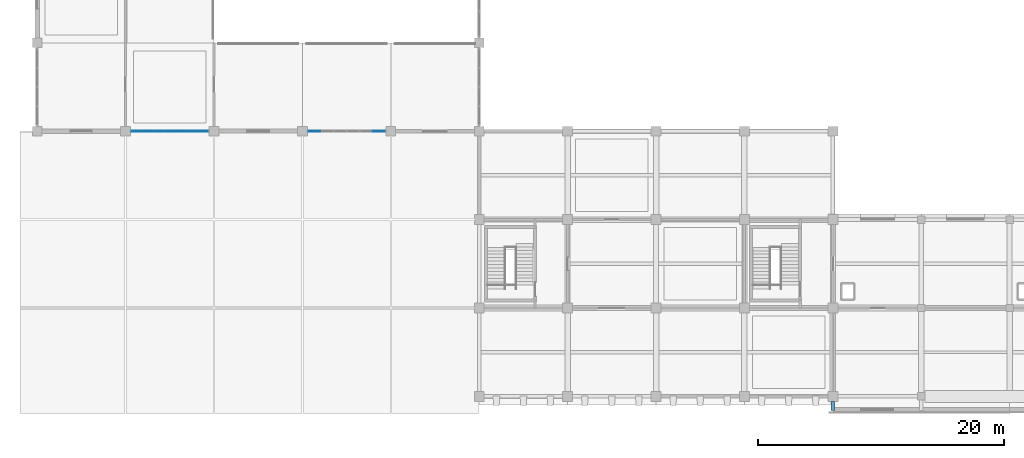
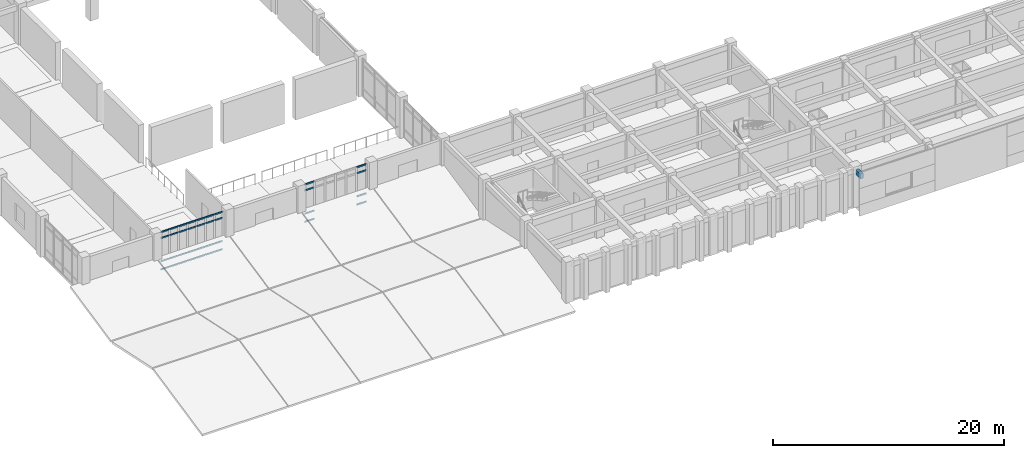
# One storey, part 29 of 70: 36 members, 1 beam, 2 elements without a shape of their own.
"""IFC4 building model written with IfcOpenShell, lengths in metres."""

from ifc_helpers import new_model, si_unit, direction, frame, origin, origin_2d, place, context, subcontext, project, spatial, rectangle, extrude, material, layer, layer_set, material_profile, profile_set, type_object, element, aggregate, save


model = new_model("IFC4")

# Units and contexts
model_context = context("Model", 3, precision=1e-05, world=origin(), true_north=direction((0.0, 1.0)))
body_context = subcontext(model_context, "Body", "Model", "MODEL_VIEW")
ifc_project = project(units=[si_unit("LENGTHUNIT", "METRE"), si_unit("AREAUNIT", "SQUARE_METRE"), si_unit("VOLUMEUNIT", "CUBIC_METRE"), si_unit("PLANEANGLEUNIT", "RADIAN"), si_unit("MASSUNIT", "GRAM", prefix="KILO")], contexts=[model_context])

# Site, building, storey
site_placement = place(None, origin())
site = spatial("IfcSite", under=ifc_project, at=site_placement, CompositionType="ELEMENT")
building_placement = place(site_placement, origin())
building = spatial("IfcBuilding", under=site, at=building_placement, Name="Kavelor Marine Aquarium", CompositionType="ELEMENT")
storey_placement = place(building_placement, frame((0.0, 0.0, 9.179931640625)))
storey = spatial("IfcBuildingStorey", under=building, at=storey_placement, Name="L02", CompositionType="ELEMENT", Elevation=9.179931640625)

# Beam
ifc_material_1 = material(Name="Concrete C40/50", Category="concrete")
ifc_material_profile_1 = material_profile(ifc_material_1, rectangle(XDim=0.300048828125, YDim=0.550048828125, at=origin_2d()), Name="RC-SP 300x550")
ifc_profile_set_1 = profile_set([ifc_material_profile_1], Name="Concrete C40/50")
beam_type = type_object("IfcBeamType", Name="BM-SP2", PredefinedType="SPANDREL", material=ifc_profile_set_1)
beam_placement = place(storey_placement, frame((68.0, 1.639892578125, 3.7451171875), z_axis=(0.0, 1.0, 0.0), x_axis=(-1.0, 0.0, 0.0)))
element("IfcBeam", 1, at=beam_placement, inside=storey, type_object=beam_type, Name="bm:out:s:L02:L03:09", PredefinedType="SPANDREL", context=body_context, shape_type="SweptSolid", body=[
    extrude(rectangle(XDim=0.300048828125, YDim=0.550048828125, at=origin_2d()), origin(), (0.0, 0.0, 1.0), 0.760009765625),
])

# Curtain wall, members
ifc_material_2 = material(Name="Thermally Broken Aluminium and Low-E Glass", Category="aluminium")
ifc_layer_1 = layer(ifc_material_2, 0.156005859375)
ifc_layer_set_1 = layer_set([ifc_layer_1], Name="CW-SYS2")
curtain_wall_type_1 = type_object("IfcCurtainWallType", Name="CW-SYS2", PredefinedType="USERDEFINED", material=ifc_layer_set_1)
curtain_wall_1_placement = place(storey_placement, origin())
curtain_wall_1 = element("IfcCurtainWall", 2, at=curtain_wall_1_placement, inside=storey, type_object=curtain_wall_type_1, Name="cw:x:L02:01_03", ObjectType="Curtain Wall", PredefinedType="USERDEFINED")
ifc_material_3 = material(Name="Anodised Aluminium Alloy 6063-T6", Category="aluminium")
ifc_material_profile_2 = material_profile(ifc_material_3, rectangle(XDim=0.080078125, YDim=0.155029296875, at=origin_2d()), Name="CW-TRN 80x155")
ifc_profile_set_2 = profile_set([ifc_material_profile_2], Name="Anodised Aluminium Alloy 6063-T6")
member_type = type_object("IfcMemberType", Name="CWT-2", PredefinedType="USERDEFINED", material=ifc_profile_set_2)
member_1_placement = place(storey_placement, frame((17.090087890625, 24.39990234375, 0.032470703125), z_axis=(-1.0, 0.0, 0.0), x_axis=(0.0, -1.0, 0.0)))
member_1 = element("IfcMember", 3, at=member_1_placement, type_object=member_type, Name="CW02 transom 1.1", ObjectType="TRANSOM", PredefinedType="USERDEFINED", context=body_context, shape_type="SweptSolid", body=[
    extrude(rectangle(XDim=0.080078125, YDim=0.155029296875, at=origin_2d()), origin(), (0.0, 0.0, 1.0), 0.803955078125),
])
member_2_placement = place(storey_placement, frame((17.090087890625, 24.39990234375, 0.900146484375), z_axis=(-1.0, 0.0, 0.0), x_axis=(0.0, -1.0, 0.0)))
member_2 = element("IfcMember", 4, at=member_2_placement, type_object=member_type, Name="CW02 transom 1.2", ObjectType="TRANSOM", PredefinedType="USERDEFINED", context=body_context, shape_type="SweptSolid", body=[
    extrude(rectangle(XDim=0.080078125, YDim=0.155029296875, at=origin_2d()), origin(), (0.0, 0.0, 1.0), 0.803955078125),
])
member_3_placement = place(storey_placement, frame((17.090087890625, 24.39990234375, 3.3701171875), z_axis=(-1.0, 0.0, 0.0), x_axis=(0.0, -1.0, 0.0)))
member_3 = element("IfcMember", 5, at=member_3_placement, type_object=member_type, Name="CW02 transom 1.3", ObjectType="TRANSOM", PredefinedType="USERDEFINED", context=body_context, shape_type="SweptSolid", body=[
    extrude(rectangle(XDim=0.080078125, YDim=0.155029296875, at=origin_2d()), origin(), (0.0, 0.0, 1.0), 0.803955078125),
])
member_4_placement = place(storey_placement, frame((17.090087890625, 24.39990234375, 3.987548828125), z_axis=(-1.0, 0.0, 0.0), x_axis=(0.0, -1.0, 0.0)))
member_4 = element("IfcMember", 6, at=member_4_placement, type_object=member_type, Name="CW02 transom 1.4", ObjectType="TRANSOM", PredefinedType="USERDEFINED", context=body_context, shape_type="SweptSolid", body=[
    extrude(rectangle(XDim=0.080078125, YDim=0.155029296875, at=origin_2d()), origin(), (0.0, 0.0, 1.0), 0.803955078125),
])
member_5_placement = place(storey_placement, frame((16.22119140625, 24.39990234375, 0.032470703125), z_axis=(-1.0, 0.0, 0.0), x_axis=(0.0, -1.0, 0.0)))
member_5 = element("IfcMember", 7, at=member_5_placement, type_object=member_type, Name="CW02 transom 2.1", ObjectType="TRANSOM", PredefinedType="USERDEFINED", context=body_context, shape_type="SweptSolid", body=[
    extrude(rectangle(XDim=0.080078125, YDim=0.155029296875, at=origin_2d()), origin(), (0.0, 0.0, 1.0), 0.836669921875),
])
member_6_placement = place(storey_placement, frame((16.22119140625, 24.39990234375, 0.900146484375), z_axis=(-1.0, 0.0, 0.0), x_axis=(0.0, -1.0, 0.0)))
member_6 = element("IfcMember", 8, at=member_6_placement, type_object=member_type, Name="CW02 transom 2.2", ObjectType="TRANSOM", PredefinedType="USERDEFINED", context=body_context, shape_type="SweptSolid", body=[
    extrude(rectangle(XDim=0.080078125, YDim=0.155029296875, at=origin_2d()), origin(), (0.0, 0.0, 1.0), 0.836669921875),
])
member_7_placement = place(storey_placement, frame((16.22119140625, 24.39990234375, 3.3701171875), z_axis=(-1.0, 0.0, 0.0), x_axis=(0.0, -1.0, 0.0)))
member_7 = element("IfcMember", 9, at=member_7_placement, type_object=member_type, Name="CW02 transom 2.3", ObjectType="TRANSOM", PredefinedType="USERDEFINED", context=body_context, shape_type="SweptSolid", body=[
    extrude(rectangle(XDim=0.080078125, YDim=0.155029296875, at=origin_2d()), origin(), (0.0, 0.0, 1.0), 0.836669921875),
])
member_8_placement = place(storey_placement, frame((16.22119140625, 24.39990234375, 3.987548828125), z_axis=(-1.0, 0.0, 0.0), x_axis=(0.0, -1.0, 0.0)))
member_8 = element("IfcMember", 10, at=member_8_placement, type_object=member_type, Name="CW02 transom 2.4", ObjectType="TRANSOM", PredefinedType="USERDEFINED", context=body_context, shape_type="SweptSolid", body=[
    extrude(rectangle(XDim=0.080078125, YDim=0.155029296875, at=origin_2d()), origin(), (0.0, 0.0, 1.0), 0.836669921875),
])
member_9_placement = place(storey_placement, frame((15.319580078125, 24.39990234375, 0.032470703125), z_axis=(-1.0, 0.0, 0.0), x_axis=(0.0, -1.0, 0.0)))
member_9 = element("IfcMember", 11, at=member_9_placement, type_object=member_type, Name="CW02 transom 3.1", ObjectType="TRANSOM", PredefinedType="USERDEFINED", context=body_context, shape_type="SweptSolid", body=[
    extrude(rectangle(XDim=0.080078125, YDim=0.155029296875, at=origin_2d()), origin(), (0.0, 0.0, 1.0), 0.83642578125),
])
member_10_placement = place(storey_placement, frame((15.319580078125, 24.39990234375, 0.900146484375), z_axis=(-1.0, 0.0, 0.0), x_axis=(0.0, -1.0, 0.0)))
member_10 = element("IfcMember", 12, at=member_10_placement, type_object=member_type, Name="CW02 transom 3.2", ObjectType="TRANSOM", PredefinedType="USERDEFINED", context=body_context, shape_type="SweptSolid", body=[
    extrude(rectangle(XDim=0.080078125, YDim=0.155029296875, at=origin_2d()), origin(), (0.0, 0.0, 1.0), 0.83642578125),
])
member_11_placement = place(storey_placement, frame((15.319580078125, 24.39990234375, 3.3701171875), z_axis=(-1.0, 0.0, 0.0), x_axis=(0.0, -1.0, 0.0)))
member_11 = element("IfcMember", 13, at=member_11_placement, type_object=member_type, Name="CW02 transom 3.3", ObjectType="TRANSOM", PredefinedType="USERDEFINED", context=body_context, shape_type="SweptSolid", body=[
    extrude(rectangle(XDim=0.080078125, YDim=0.155029296875, at=origin_2d()), origin(), (0.0, 0.0, 1.0), 0.83642578125),
])
member_12_placement = place(storey_placement, frame((15.319580078125, 24.39990234375, 3.987548828125), z_axis=(-1.0, 0.0, 0.0), x_axis=(0.0, -1.0, 0.0)))
member_12 = element("IfcMember", 14, at=member_12_placement, type_object=member_type, Name="CW02 transom 3.4", ObjectType="TRANSOM", PredefinedType="USERDEFINED", context=body_context, shape_type="SweptSolid", body=[
    extrude(rectangle(XDim=0.080078125, YDim=0.155029296875, at=origin_2d()), origin(), (0.0, 0.0, 1.0), 0.83642578125),
])
member_13_placement = place(storey_placement, frame((14.418212890625, 24.39990234375, 0.032470703125), z_axis=(-1.0, 0.0, 0.0), x_axis=(0.0, -1.0, 0.0)))
member_13 = element("IfcMember", 15, at=member_13_placement, type_object=member_type, Name="CW02 transom 4.1", ObjectType="TRANSOM", PredefinedType="USERDEFINED", context=body_context, shape_type="SweptSolid", body=[
    extrude(rectangle(XDim=0.080078125, YDim=0.155029296875, at=origin_2d()), origin(), (0.0, 0.0, 1.0), 0.83642578125),
])
member_14_placement = place(storey_placement, frame((14.418212890625, 24.39990234375, 0.900146484375), z_axis=(-1.0, 0.0, 0.0), x_axis=(0.0, -1.0, 0.0)))
member_14 = element("IfcMember", 16, at=member_14_placement, type_object=member_type, Name="CW02 transom 4.2", ObjectType="TRANSOM", PredefinedType="USERDEFINED", context=body_context, shape_type="SweptSolid", body=[
    extrude(rectangle(XDim=0.080078125, YDim=0.155029296875, at=origin_2d()), origin(), (0.0, 0.0, 1.0), 0.83642578125),
])
member_15_placement = place(storey_placement, frame((14.418212890625, 24.39990234375, 3.3701171875), z_axis=(-1.0, 0.0, 0.0), x_axis=(0.0, -1.0, 0.0)))
member_15 = element("IfcMember", 17, at=member_15_placement, type_object=member_type, Name="CW02 transom 4.3", ObjectType="TRANSOM", PredefinedType="USERDEFINED", context=body_context, shape_type="SweptSolid", body=[
    extrude(rectangle(XDim=0.080078125, YDim=0.155029296875, at=origin_2d()), origin(), (0.0, 0.0, 1.0), 0.83642578125),
])
member_16_placement = place(storey_placement, frame((14.418212890625, 24.39990234375, 3.987548828125), z_axis=(-1.0, 0.0, 0.0), x_axis=(0.0, -1.0, 0.0)))
member_16 = element("IfcMember", 18, at=member_16_placement, type_object=member_type, Name="CW02 transom 4.4", ObjectType="TRANSOM", PredefinedType="USERDEFINED", context=body_context, shape_type="SweptSolid", body=[
    extrude(rectangle(XDim=0.080078125, YDim=0.155029296875, at=origin_2d()), origin(), (0.0, 0.0, 1.0), 0.83642578125),
])
member_17_placement = place(storey_placement, frame((13.516845703125, 24.39990234375, 0.032470703125), z_axis=(-1.0, 0.0, 0.0), x_axis=(0.0, -1.0, 0.0)))
member_17 = element("IfcMember", 19, at=member_17_placement, type_object=member_type, Name="CW02 transom 5.1", ObjectType="TRANSOM", PredefinedType="USERDEFINED", context=body_context, shape_type="SweptSolid", body=[
    extrude(rectangle(XDim=0.080078125, YDim=0.155029296875, at=origin_2d()), origin(), (0.0, 0.0, 1.0), 0.83642578125),
])
member_18_placement = place(storey_placement, frame((13.516845703125, 24.39990234375, 0.900146484375), z_axis=(-1.0, 0.0, 0.0), x_axis=(0.0, -1.0, 0.0)))
member_18 = element("IfcMember", 20, at=member_18_placement, type_object=member_type, Name="CW02 transom 5.2", ObjectType="TRANSOM", PredefinedType="USERDEFINED", context=body_context, shape_type="SweptSolid", body=[
    extrude(rectangle(XDim=0.080078125, YDim=0.155029296875, at=origin_2d()), origin(), (0.0, 0.0, 1.0), 0.83642578125),
])
member_19_placement = place(storey_placement, frame((13.516845703125, 24.39990234375, 3.3701171875), z_axis=(-1.0, 0.0, 0.0), x_axis=(0.0, -1.0, 0.0)))
member_19 = element("IfcMember", 21, at=member_19_placement, type_object=member_type, Name="CW02 transom 5.3", ObjectType="TRANSOM", PredefinedType="USERDEFINED", context=body_context, shape_type="SweptSolid", body=[
    extrude(rectangle(XDim=0.080078125, YDim=0.155029296875, at=origin_2d()), origin(), (0.0, 0.0, 1.0), 0.83642578125),
])
member_20_placement = place(storey_placement, frame((13.516845703125, 24.39990234375, 3.987548828125), z_axis=(-1.0, 0.0, 0.0), x_axis=(0.0, -1.0, 0.0)))
member_20 = element("IfcMember", 22, at=member_20_placement, type_object=member_type, Name="CW02 transom 5.4", ObjectType="TRANSOM", PredefinedType="USERDEFINED", context=body_context, shape_type="SweptSolid", body=[
    extrude(rectangle(XDim=0.080078125, YDim=0.155029296875, at=origin_2d()), origin(), (0.0, 0.0, 1.0), 0.83642578125),
])
member_21_placement = place(storey_placement, frame((12.615478515625, 24.39990234375, 0.032470703125), z_axis=(-1.0, 0.0, 0.0), x_axis=(0.0, -1.0, 0.0)))
member_21 = element("IfcMember", 23, at=member_21_placement, type_object=member_type, Name="CW02 transom 6.1", ObjectType="TRANSOM", PredefinedType="USERDEFINED", context=body_context, shape_type="SweptSolid", body=[
    extrude(rectangle(XDim=0.080078125, YDim=0.155029296875, at=origin_2d()), origin(), (0.0, 0.0, 1.0), 0.836669921875),
])
member_22_placement = place(storey_placement, frame((12.615478515625, 24.39990234375, 0.900146484375), z_axis=(-1.0, 0.0, 0.0), x_axis=(0.0, -1.0, 0.0)))
member_22 = element("IfcMember", 24, at=member_22_placement, type_object=member_type, Name="CW02 transom 6.2", ObjectType="TRANSOM", PredefinedType="USERDEFINED", context=body_context, shape_type="SweptSolid", body=[
    extrude(rectangle(XDim=0.080078125, YDim=0.155029296875, at=origin_2d()), origin(), (0.0, 0.0, 1.0), 0.836669921875),
])
member_23_placement = place(storey_placement, frame((12.615478515625, 24.39990234375, 3.3701171875), z_axis=(-1.0, 0.0, 0.0), x_axis=(0.0, -1.0, 0.0)))
member_23 = element("IfcMember", 25, at=member_23_placement, type_object=member_type, Name="CW02 transom 6.3", ObjectType="TRANSOM", PredefinedType="USERDEFINED", context=body_context, shape_type="SweptSolid", body=[
    extrude(rectangle(XDim=0.080078125, YDim=0.155029296875, at=origin_2d()), origin(), (0.0, 0.0, 1.0), 0.836669921875),
])
member_24_placement = place(storey_placement, frame((12.615478515625, 24.39990234375, 3.987548828125), z_axis=(-1.0, 0.0, 0.0), x_axis=(0.0, -1.0, 0.0)))
member_24 = element("IfcMember", 26, at=member_24_placement, type_object=member_type, Name="CW02 transom 6.4", ObjectType="TRANSOM", PredefinedType="USERDEFINED", context=body_context, shape_type="SweptSolid", body=[
    extrude(rectangle(XDim=0.080078125, YDim=0.155029296875, at=origin_2d()), origin(), (0.0, 0.0, 1.0), 0.836669921875),
])
member_25_placement = place(storey_placement, frame((11.7138671875, 24.39990234375, 0.032470703125), z_axis=(-1.0, 0.0, 0.0), x_axis=(0.0, -1.0, 0.0)))
member_25 = element("IfcMember", 27, at=member_25_placement, type_object=member_type, Name="CW02 transom 7.1", ObjectType="TRANSOM", PredefinedType="USERDEFINED", context=body_context, shape_type="SweptSolid", body=[
    extrude(rectangle(XDim=0.080078125, YDim=0.155029296875, at=origin_2d()), origin(), (0.0, 0.0, 1.0), 0.803955078125),
])
member_26_placement = place(storey_placement, frame((11.7138671875, 24.39990234375, 0.900146484375), z_axis=(-1.0, 0.0, 0.0), x_axis=(0.0, -1.0, 0.0)))
member_26 = element("IfcMember", 28, at=member_26_placement, type_object=member_type, Name="CW02 transom 7.2", ObjectType="TRANSOM", PredefinedType="USERDEFINED", context=body_context, shape_type="SweptSolid", body=[
    extrude(rectangle(XDim=0.080078125, YDim=0.155029296875, at=origin_2d()), origin(), (0.0, 0.0, 1.0), 0.803955078125),
])
member_27_placement = place(storey_placement, frame((11.7138671875, 24.39990234375, 3.3701171875), z_axis=(-1.0, 0.0, 0.0), x_axis=(0.0, -1.0, 0.0)))
member_27 = element("IfcMember", 29, at=member_27_placement, type_object=member_type, Name="CW02 transom 7.3", ObjectType="TRANSOM", PredefinedType="USERDEFINED", context=body_context, shape_type="SweptSolid", body=[
    extrude(rectangle(XDim=0.080078125, YDim=0.155029296875, at=origin_2d()), origin(), (0.0, 0.0, 1.0), 0.803955078125),
])
member_28_placement = place(storey_placement, frame((11.7138671875, 24.39990234375, 3.987548828125), z_axis=(-1.0, 0.0, 0.0), x_axis=(0.0, -1.0, 0.0)))
member_28 = element("IfcMember", 30, at=member_28_placement, type_object=member_type, Name="CW02 transom 7.4", ObjectType="TRANSOM", PredefinedType="USERDEFINED", context=body_context, shape_type="SweptSolid", body=[
    extrude(rectangle(XDim=0.080078125, YDim=0.155029296875, at=origin_2d()), origin(), (0.0, 0.0, 1.0), 0.803955078125),
])
aggregate(curtain_wall_1, [member_1, member_2, member_3, member_4, member_5, member_6, member_7, member_8, member_9, member_10, member_11, member_12, member_13, member_14, member_15, member_16, member_17, member_18, member_19, member_20, member_21, member_22, member_23, member_24, member_25, member_26, member_27, member_28])

ifc_material_4 = material(Name="Thermally Broken Aluminium and Low-E Glass", Category="aluminium")
ifc_layer_2 = layer(ifc_material_4, 0.1640625)
ifc_layer_set_2 = layer_set([ifc_layer_2], Name="CW-SYS3")
curtain_wall_type_2 = type_object("IfcCurtainWallType", Name="CW-SYS3", PredefinedType="USERDEFINED", material=ifc_layer_set_2)
curtain_wall_2_placement = place(storey_placement, origin())
curtain_wall_2 = element("IfcCurtainWall", 31, at=curtain_wall_2_placement, inside=storey, type_object=curtain_wall_type_2, Name="cw:x:L02:03_03", ObjectType="Curtain Wall", PredefinedType="USERDEFINED")
member_29_placement = place(storey_placement, frame((31.4951171875, 24.39990234375, 0.032470703125), z_axis=(-1.0, 0.0, 0.0), x_axis=(0.0, -1.0, 0.0)))
member_29 = element("IfcMember", 32, at=member_29_placement, type_object=member_type, Name="CW03 transom 1.1", ObjectType="TRANSOM", PredefinedType="USERDEFINED", context=body_context, shape_type="SweptSolid", body=[
    extrude(rectangle(XDim=0.080078125, YDim=0.155029296875, at=origin_2d()), origin(), (0.0, 0.0, 1.0), 0.961669921875),
])
member_30_placement = place(storey_placement, frame((31.4951171875, 24.39990234375, 0.900146484375), z_axis=(-1.0, 0.0, 0.0), x_axis=(0.0, -1.0, 0.0)))
member_30 = element("IfcMember", 33, at=member_30_placement, type_object=member_type, Name="CW03 transom 1.2", ObjectType="TRANSOM", PredefinedType="USERDEFINED", context=body_context, shape_type="SweptSolid", body=[
    extrude(rectangle(XDim=0.080078125, YDim=0.155029296875, at=origin_2d()), origin(), (0.0, 0.0, 1.0), 0.961669921875),
])
member_31_placement = place(storey_placement, frame((31.4951171875, 24.39990234375, 3.3701171875), z_axis=(-1.0, 0.0, 0.0), x_axis=(0.0, -1.0, 0.0)))
member_31 = element("IfcMember", 34, at=member_31_placement, type_object=member_type, Name="CW03 transom 1.3", ObjectType="TRANSOM", PredefinedType="USERDEFINED", context=body_context, shape_type="SweptSolid", body=[
    extrude(rectangle(XDim=0.080078125, YDim=0.155029296875, at=origin_2d()), origin(), (0.0, 0.0, 1.0), 0.961669921875),
])
member_32_placement = place(storey_placement, frame((31.4951171875, 24.39990234375, 3.987548828125), z_axis=(-1.0, 0.0, 0.0), x_axis=(0.0, -1.0, 0.0)))
member_32 = element("IfcMember", 35, at=member_32_placement, type_object=member_type, Name="CW03 transom 1.4", ObjectType="TRANSOM", PredefinedType="USERDEFINED", context=body_context, shape_type="SweptSolid", body=[
    extrude(rectangle(XDim=0.080078125, YDim=0.155029296875, at=origin_2d()), origin(), (0.0, 0.0, 1.0), 0.961669921875),
])
member_33_placement = place(storey_placement, frame((26.2666015625, 24.39990234375, 0.032470703125), z_axis=(-1.0, 0.0, 0.0), x_axis=(0.0, -1.0, 0.0)))
member_33 = element("IfcMember", 36, at=member_33_placement, type_object=member_type, Name="CW03 transom 6.1", ObjectType="TRANSOM", PredefinedType="USERDEFINED", context=body_context, shape_type="SweptSolid", body=[
    extrude(rectangle(XDim=0.080078125, YDim=0.155029296875, at=origin_2d()), origin(), (0.0, 0.0, 1.0), 0.961669921875),
])
member_34_placement = place(storey_placement, frame((26.2666015625, 24.39990234375, 0.900146484375), z_axis=(-1.0, 0.0, 0.0), x_axis=(0.0, -1.0, 0.0)))
member_34 = element("IfcMember", 37, at=member_34_placement, type_object=member_type, Name="CW03 transom 6.2", ObjectType="TRANSOM", PredefinedType="USERDEFINED", context=body_context, shape_type="SweptSolid", body=[
    extrude(rectangle(XDim=0.080078125, YDim=0.155029296875, at=origin_2d()), origin(), (0.0, 0.0, 1.0), 0.961669921875),
])
member_35_placement = place(storey_placement, frame((26.2666015625, 24.39990234375, 3.3701171875), z_axis=(-1.0, 0.0, 0.0), x_axis=(0.0, -1.0, 0.0)))
member_35 = element("IfcMember", 38, at=member_35_placement, type_object=member_type, Name="CW03 transom 6.3", ObjectType="TRANSOM", PredefinedType="USERDEFINED", context=body_context, shape_type="SweptSolid", body=[
    extrude(rectangle(XDim=0.080078125, YDim=0.155029296875, at=origin_2d()), origin(), (0.0, 0.0, 1.0), 0.961669921875),
])
member_36_placement = place(storey_placement, frame((26.2666015625, 24.39990234375, 3.987548828125), z_axis=(-1.0, 0.0, 0.0), x_axis=(0.0, -1.0, 0.0)))
member_36 = element("IfcMember", 39, at=member_36_placement, type_object=member_type, Name="CW03 transom 6.4", ObjectType="TRANSOM", PredefinedType="USERDEFINED", context=body_context, shape_type="SweptSolid", body=[
    extrude(rectangle(XDim=0.080078125, YDim=0.155029296875, at=origin_2d()), origin(), (0.0, 0.0, 1.0), 0.961669921875),
])
aggregate(curtain_wall_2, [member_29, member_30, member_31, member_32, member_33, member_34, member_35, member_36])

save(model, "model.ifc")
